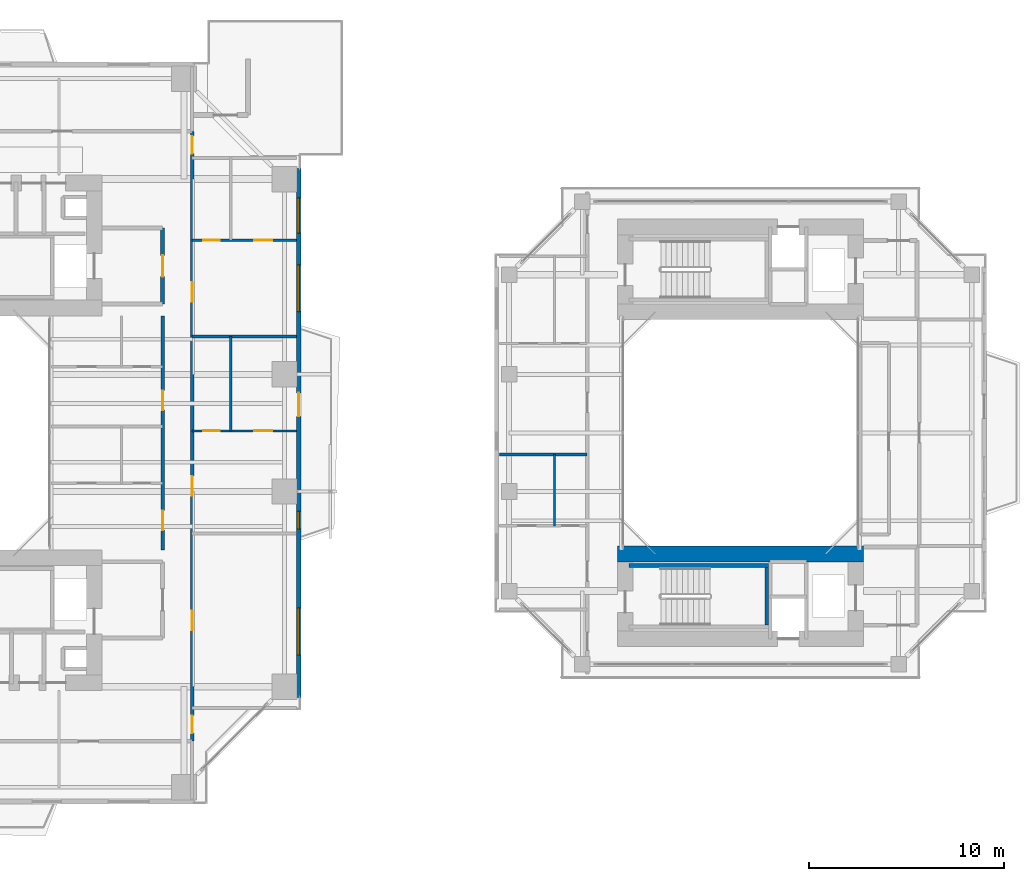
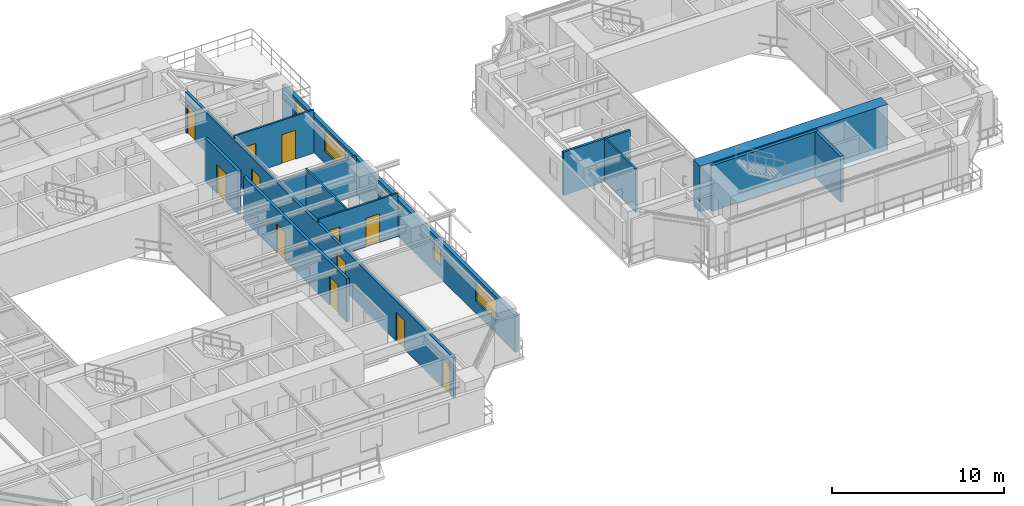
# One storey, part 15 of 23: 13 doors, 13 walls, 4 windows, 17 openings.
"""IFC4 building model written with IfcOpenShell, lengths in metres."""

from ifc_helpers import new_model, si_unit, direction, frame, frame_2d, origin, place, context, subcontext, project, spatial, rectangle, extrude, source, transform, mapped, material, layer, layer_set, type_object, element, fill, save


model = new_model("IFC4")

# Units and contexts
model_context = context("Model", 3, precision=1e-05, world=origin(), true_north=direction((0.0, 1.0)))
body_context = subcontext(model_context, "Body", "Model", "MODEL_VIEW")
ifc_project = project(units=[si_unit("LENGTHUNIT", "METRE"), si_unit("AREAUNIT", "SQUARE_METRE"), si_unit("VOLUMEUNIT", "CUBIC_METRE"), si_unit("PLANEANGLEUNIT", "RADIAN"), si_unit("MASSUNIT", "GRAM", prefix="KILO"), si_unit("THERMODYNAMICTEMPERATUREUNIT", "KELVIN"), si_unit("POWERUNIT", "WATT")], contexts=[model_context])

# Site, building, storey
site_placement = place(None, origin())
site = spatial("IfcSite", under=ifc_project, at=site_placement, CompositionType="ELEMENT")
building_placement = place(site_placement, origin())
building = spatial("IfcBuilding", under=site, at=building_placement, Name="Qiaomeng Ring Towers", CompositionType="ELEMENT")
storey_placement = place(building_placement, frame((0.0, 0.0, 82.75)))
storey = spatial("IfcBuildingStorey", under=building, at=storey_placement, Name="L23", CompositionType="ELEMENT", Elevation=82.75)

# Wall, openings, windows, door
ifc_material_1 = material(Name="Precast concrete C40", Category="concrete")
ifc_layer_1 = layer(ifc_material_1, 0.25, Name="Precast concrete C40")
ifc_layer_set_1 = layer_set([ifc_layer_1], Name="Precast concrete C40")
wall_type_1 = type_object("IfcWallType", Name="ARC-WL-EW1", PredefinedType="STANDARD", material=ifc_layer_set_1)
wall_1_placement = place(storey_placement, frame((37.875, 9.449951171875, 0.0), z_axis=(0.0, 0.0, 1.0), x_axis=(0.0, 1.0, 0.0)))
wall_1 = element("IfcWall", 1, at=wall_1_placement, inside=storey, type_object=wall_type_1, Name="L23 Tower 1 E Exterior Wall", PredefinedType="STANDARD", context=body_context, shape_type="SweptSolid", body=[
    extrude(rectangle(XDim=27.10009765625, YDim=0.25, at=frame_2d((13.550048828125, 0.0))), origin(), (0.0, 0.0, 1.0), 2.610107421875),
])
opening_1_placement = place(wall_1_placement, frame((14.39990234375, 0.0, 0.0)))
opening_1 = element("IfcOpeningElement", 2, at=opening_1_placement, cuts=wall_1, Name="Opening BD1", PredefinedType="OPENING", context=body_context, shape_type="SweptSolid", body=[
    extrude(rectangle(XDim=1.199951171875, YDim=2.10009765625, at=frame_2d((0.60009765625, 1.050048828125))), frame((0.0, 0.135009765625, 0.0), z_axis=(0.0, -1.0, 0.0), x_axis=(1.0, 0.0, 0.0)), (0.0, 0.0, 1.0), 0.27001953125),
])
opening_2_placement = place(wall_1_placement, frame((2.18798828125, 0.0, 0.89990234375)))
opening_2 = element("IfcOpeningElement", 3, at=opening_2_placement, cuts=wall_1, Name="Opening WN6", PredefinedType="OPENING", context=body_context, shape_type="SweptSolid", body=[
    extrude(rectangle(XDim=2.39990234375, YDim=1.47998046875, at=frame_2d((1.199951171875, 0.739990234375))), frame((0.0, 0.135009765625, 0.0), z_axis=(0.0, -1.0, 0.0), x_axis=(1.0, 0.0, 0.0)), (0.0, 0.0, 1.0), 0.27001953125),
])
opening_3_placement = place(wall_1_placement, frame((23.78759765625, 0.0, 0.89990234375)))
opening_3 = element("IfcOpeningElement", 4, at=opening_3_placement, cuts=wall_1, Name="Opening WN1", PredefinedType="OPENING", context=body_context, shape_type="SweptSolid", body=[
    extrude(rectangle(XDim=1.800048828125, YDim=1.5, at=frame_2d((0.89990234375, 0.75))), frame((0.0, 0.135009765625, 0.0), z_axis=(0.0, -1.0, 0.0), x_axis=(1.0, 0.0, 0.0)), (0.0, 0.0, 1.0), 0.27001953125),
])
opening_4_placement = place(wall_1_placement, frame((19.757568359375, 0.0, 0.89990234375)))
opening_4 = element("IfcOpeningElement", 5, at=opening_4_placement, cuts=wall_1, Name="Opening WN6", PredefinedType="OPENING", context=body_context, shape_type="SweptSolid", body=[
    extrude(rectangle(XDim=2.39990234375, YDim=1.5, at=frame_2d((1.199951171875, 0.75))), frame((0.0, 0.135009765625, 0.0), z_axis=(0.0, -1.0, 0.0), x_axis=(1.0, 0.0, 0.0)), (0.0, 0.0, 1.0), 0.27001953125),
])
opening_5_placement = place(wall_1_placement, frame((8.635009765625, 0.0, 0.89990234375)))
opening_5 = element("IfcOpeningElement", 6, at=opening_5_placement, cuts=wall_1, Name="Opening WN5", PredefinedType="OPENING", context=body_context, shape_type="SweptSolid", body=[
    extrude(rectangle(XDim=0.89990234375, YDim=1.199951171875, at=frame_2d((0.449951171875, 0.60009765625))), frame((0.0, 0.135009765625, 0.0), z_axis=(0.0, -1.0, 0.0), x_axis=(1.0, 0.0, 0.0)), (0.0, 0.0, 1.0), 0.27001953125),
])
ifc_material_2 = material(Name="Low-E dark-grey laminated double glazing", Category="glass")
window_type_1 = type_object("IfcWindowType", Name="ARC-WN-6", PartitioningType="TRIPLE_PANEL_VERTICAL", PredefinedType="WINDOW", material=ifc_material_2)
shared_shape_1 = source(origin(), body_context, "Body", "SweptSolid", [
    extrude(rectangle(XDim=2.39990234375, YDim=1.47998046875, at=frame_2d((1.199951171875, 0.739990234375))), frame((0.0, 0.030029296875, 0.0), z_axis=(0.0, -1.0, 0.0), x_axis=(1.0, 0.0, 0.0)), (0.0, 0.0, 1.0), 0.06005859375),
])
window_1_placement = place(opening_2_placement, origin())
window_1 = element("IfcWindow", 7, at=window_1_placement, inside=storey, type_object=window_type_1, Name="L23 Exterior Window WN6", OverallHeight=1.47998046875, OverallWidth=2.39990234375, PartitioningType="TRIPLE_PANEL_VERTICAL", PredefinedType="WINDOW", context=body_context, shape_type="MappedRepresentation", body=[
    mapped(shared_shape_1, transform((0.0, 0.0, 0.0), x_axis=(1.0, 0.0, 0.0), y_axis=(0.0, 1.0, 0.0), z_axis=(0.0, 0.0, 1.0), scale=1.0)),
])
fill(opening_2, window_1)
door_type_1 = type_object("IfcDoorType", Name="ARC-DR-BD1", OperationType="NOTDEFINED", PredefinedType="DOOR", material=ifc_material_2)
shared_shape_2 = source(origin(), body_context, "Body", "SweptSolid", [
    extrude(rectangle(XDim=1.199951171875, YDim=2.10009765625, at=frame_2d((0.60009765625, 1.050048828125))), frame((0.0, 0.02490234375, 0.0), z_axis=(0.0, -1.0, 0.0), x_axis=(1.0, 0.0, 0.0)), (0.0, 0.0, 1.0), 0.050048828125),
])
door_1_placement = place(opening_1_placement, origin())
door_1 = element("IfcDoor", 8, at=door_1_placement, inside=storey, type_object=door_type_1, Name="L23 E Balcony Glazed Door", OperationType="SINGLE_SWING_LEFT", OverallHeight=2.10009765625, OverallWidth=1.199951171875, PredefinedType="DOOR", context=body_context, shape_type="MappedRepresentation", body=[
    mapped(shared_shape_2, transform((0.0, 0.0, 0.0), x_axis=(1.0, 0.0, 0.0), y_axis=(0.0, 1.0, 0.0), z_axis=(0.0, 0.0, 1.0), scale=1.0)),
])
fill(opening_1, door_1)
shared_shape_3 = source(origin(), body_context, "Body", "SweptSolid", [
    extrude(rectangle(XDim=2.39990234375, YDim=1.5, at=frame_2d((1.199951171875, 0.75))), frame((0.0, 0.030029296875, 0.0), z_axis=(0.0, -1.0, 0.0), x_axis=(1.0, 0.0, 0.0)), (0.0, 0.0, 1.0), 0.06005859375),
])
window_2_placement = place(opening_4_placement, origin())
window_2 = element("IfcWindow", 9, at=window_2_placement, inside=storey, type_object=window_type_1, Name="L23 Exterior Window WN6", OverallHeight=1.5, OverallWidth=2.39990234375, PartitioningType="TRIPLE_PANEL_VERTICAL", PredefinedType="WINDOW", context=body_context, shape_type="MappedRepresentation", body=[
    mapped(shared_shape_3, transform((0.0, 0.0, 0.0), x_axis=(1.0, 0.0, 0.0), y_axis=(0.0, 1.0, 0.0), z_axis=(0.0, 0.0, 1.0), scale=1.0)),
])
fill(opening_4, window_2)
window_type_2 = type_object("IfcWindowType", Name="ARC-WN-1", PartitioningType="DOUBLE_PANEL_VERTICAL", PredefinedType="WINDOW", material=ifc_material_2)
shared_shape_4 = source(origin(), body_context, "Body", "SweptSolid", [
    extrude(rectangle(XDim=1.800048828125, YDim=1.5, at=frame_2d((0.89990234375, 0.75))), frame((0.0, 0.030029296875, 0.0), z_axis=(0.0, -1.0, 0.0), x_axis=(1.0, 0.0, 0.0)), (0.0, 0.0, 1.0), 0.06005859375),
])
window_3_placement = place(opening_3_placement, origin())
window_3 = element("IfcWindow", 10, at=window_3_placement, inside=storey, type_object=window_type_2, Name="L23 Exterior Window WN4", OverallHeight=1.5, OverallWidth=1.800048828125, PartitioningType="TRIPLE_PANEL_VERTICAL", PredefinedType="WINDOW", context=body_context, shape_type="MappedRepresentation", body=[
    mapped(shared_shape_4, transform((0.0, 0.0, 0.0), x_axis=(1.0, 0.0, 0.0), y_axis=(0.0, 1.0, 0.0), z_axis=(0.0, 0.0, 1.0), scale=1.0)),
])
fill(opening_3, window_3)
window_type_3 = type_object("IfcWindowType", Name="ARC-WN-5", PartitioningType="SINGLE_PANEL", PredefinedType="WINDOW", material=ifc_material_2)
shared_shape_5 = source(origin(), body_context, "Body", "SweptSolid", [
    extrude(rectangle(XDim=0.89990234375, YDim=1.199951171875, at=frame_2d((0.449951171875, 0.60009765625))), frame((0.0, 0.030029296875, 0.0), z_axis=(0.0, -1.0, 0.0), x_axis=(1.0, 0.0, 0.0)), (0.0, 0.0, 1.0), 0.06005859375),
])
window_4_placement = place(opening_5_placement, origin())
window_4 = element("IfcWindow", 11, at=window_4_placement, inside=storey, type_object=window_type_3, Name="L23 Exterior Window WN5", OverallHeight=1.199951171875, OverallWidth=0.89990234375, PartitioningType="SINGLE_PANEL", PredefinedType="WINDOW", context=body_context, shape_type="MappedRepresentation", body=[
    mapped(shared_shape_5, transform((0.0, 0.0, 0.0), x_axis=(1.0, 0.0, 0.0), y_axis=(0.0, 1.0, 0.0), z_axis=(0.0, 0.0, 1.0), scale=1.0)),
])
fill(opening_5, window_4)

# Wall, opening, door
ifc_material_3 = material(Name="Autoclaved aerated concrete block", Category="concrete")
ifc_layer_2 = layer(ifc_material_3, 0.199951171875, Name="Autoclaved aerated concrete block")
ifc_layer_set_2 = layer_set([ifc_layer_2], Name="Autoclaved aerated concrete block")
wall_type_2 = type_object("IfcWallType", Name="ARC-WL-PW1", PredefinedType="PARTITIONING", material=ifc_layer_set_2)
wall_2_placement = place(storey_placement, frame((30.89990234375, 29.60009765625, 0.0), z_axis=(0.0, 0.0, 1.0), x_axis=(0.0, 1.0, 0.0)))
wall_2 = element("IfcWall", 12, at=wall_2_placement, inside=storey, type_object=wall_type_2, Name="L23 Interior Wall PW1", PredefinedType="PARTITIONING", context=body_context, shape_type="SweptSolid", body=[
    extrude(rectangle(XDim=3.89990234375, YDim=0.199951171875, at=frame_2d((1.949951171875, 0.0))), origin(), (0.0, 0.0, 1.0), 3.070068359375),
])
opening_6_placement = place(wall_2_placement, frame((1.39990234375, 0.0, 0.0)))
opening_6 = element("IfcOpeningElement", 13, at=opening_6_placement, cuts=wall_2, Name="Opening FD3", PredefinedType="OPENING", context=body_context, shape_type="SweptSolid", body=[
    extrude(rectangle(XDim=1.10009765625, YDim=2.050048828125, at=frame_2d((0.550048828125, 1.02490234375))), frame((0.0, 0.10986328125, 0.0), z_axis=(0.0, -1.0, 0.0), x_axis=(1.0, 0.0, 0.0)), (0.0, 0.0, 1.0), 0.219970703125),
])
ifc_material_4 = material(Name="Galvanised steel", Category="steel")
door_type_2 = type_object("IfcDoorType", Name="ARC-DR-FD3", OperationType="NOTDEFINED", PredefinedType="DOOR", material=ifc_material_4)
shared_shape_6 = source(origin(), body_context, "Body", "SweptSolid", [
    extrude(rectangle(XDim=1.10009765625, YDim=2.050048828125, at=frame_2d((0.550048828125, 1.02490234375))), frame((0.0, 0.02490234375, 0.0), z_axis=(0.0, -1.0, 0.0), x_axis=(1.0, 0.0, 0.0)), (0.0, 0.0, 1.0), 0.050048828125),
])
door_2_placement = place(opening_6_placement, origin())
door_2 = element("IfcDoor", 14, at=door_2_placement, inside=storey, type_object=door_type_2, Name="L23 North FF Lobby Door", OperationType="SINGLE_SWING_LEFT", OverallHeight=2.050048828125, OverallWidth=1.10009765625, PredefinedType="DOOR", context=body_context, shape_type="MappedRepresentation", body=[
    mapped(shared_shape_6, transform((0.0, 0.0, 0.0), x_axis=(1.0, 0.0, 0.0), y_axis=(0.0, 1.0, 0.0), z_axis=(0.0, 0.0, 1.0), scale=1.0)),
])
fill(opening_6, door_2)

# Wall, openings, doors
ifc_layer_3 = layer(ifc_material_3, 0.179931640625, Name="Autoclaved aerated concrete block")
ifc_layer_set_3 = layer_set([ifc_layer_3], Name="Autoclaved aerated concrete block")
wall_type_3 = type_object("IfcWallType", Name="ARC-WL-PW2", PredefinedType="PARTITIONING", material=ifc_layer_set_3)
wall_3_placement = place(storey_placement, frame((32.419921875, 7.2099609375, 0.0), z_axis=(0.0, 0.0, 1.0), x_axis=(0.0, 1.0, 0.0)))
wall_3 = element("IfcWall", 15, at=wall_3_placement, inside=storey, type_object=wall_type_3, Name="L23 Interior Wall PW2", PredefinedType="PARTITIONING", context=body_context, shape_type="SweptSolid", body=[
    extrude(rectangle(XDim=31.22998046875, YDim=0.179931640625, at=frame_2d((15.614990234375, 0.0))), origin(), (0.0, 0.0, 1.0), 2.864990234375),
])
opening_7_placement = place(wall_3_placement, frame((30.090087890625, 0.0, 0.0)))
opening_7 = element("IfcOpeningElement", 16, at=opening_7_placement, cuts=wall_3, Name="Opening ID1", PredefinedType="OPENING", context=body_context, shape_type="SweptSolid", body=[
    extrude(rectangle(XDim=0.89990234375, YDim=2.050048828125, at=frame_2d((0.449951171875, 1.02490234375))), frame((0.0, 0.099853515625, 0.0), z_axis=(0.0, -1.0, 0.0), x_axis=(1.0, 0.0, 0.0)), (0.0, 0.0, 1.0), 0.199951171875),
])
opening_8_placement = place(wall_3_placement, frame((0.4150390625, 0.0, 0.0)))
opening_8 = element("IfcOpeningElement", 17, at=opening_8_placement, cuts=wall_3, Name="Opening ID1", PredefinedType="OPENING", context=body_context, shape_type="SweptSolid", body=[
    extrude(rectangle(XDim=0.89990234375, YDim=2.050048828125, at=frame_2d((0.449951171875, 1.02490234375))), frame((0.0, 0.099853515625, 0.0), z_axis=(0.0, -1.0, 0.0), x_axis=(1.0, 0.0, 0.0)), (0.0, 0.0, 1.0), 0.199951171875),
])
opening_9_placement = place(wall_3_placement, frame((5.675048828125, 0.0, 0.0)))
opening_9 = element("IfcOpeningElement", 18, at=opening_9_placement, cuts=wall_3, Name="Opening FD4", PredefinedType="OPENING", context=body_context, shape_type="SweptSolid", body=[
    extrude(rectangle(XDim=1.0, YDim=2.050048828125, at=frame_2d((0.5, 1.02490234375))), frame((0.0, 0.099853515625, 0.0), z_axis=(0.0, -1.0, 0.0), x_axis=(1.0, 0.0, 0.0)), (0.0, 0.0, 1.0), 0.199951171875),
])
opening_10_placement = place(wall_3_placement, frame((12.574951171875, 0.0, 0.0)))
opening_10 = element("IfcOpeningElement", 19, at=opening_10_placement, cuts=wall_3, Name="Opening FD4", PredefinedType="OPENING", context=body_context, shape_type="SweptSolid", body=[
    extrude(rectangle(XDim=1.0, YDim=2.050048828125, at=frame_2d((0.5, 1.02490234375))), frame((0.0, 0.099853515625, 0.0), z_axis=(0.0, -1.0, 0.0), x_axis=(1.0, 0.0, 0.0)), (0.0, 0.0, 1.0), 0.199951171875),
])
opening_11_placement = place(wall_3_placement, frame((22.5, 0.0, 0.0)))
opening_11 = element("IfcOpeningElement", 20, at=opening_11_placement, cuts=wall_3, Name="Opening FD4", PredefinedType="OPENING", context=body_context, shape_type="SweptSolid", body=[
    extrude(rectangle(XDim=1.0, YDim=2.050048828125, at=frame_2d((0.5, 1.02490234375))), frame((0.0, 0.099853515625, 0.0), z_axis=(0.0, -1.0, 0.0), x_axis=(1.0, 0.0, 0.0)), (0.0, 0.0, 1.0), 0.199951171875),
])
ifc_material_5 = material(Name="Engineered fire-rated oak timber", Category="wood")
door_type_3 = type_object("IfcDoorType", Name="ARC-DR-FD4", OperationType="NOTDEFINED", PredefinedType="DOOR", material=ifc_material_5)
shared_shape_7 = source(origin(), body_context, "Body", "SweptSolid", [
    extrude(rectangle(XDim=1.0, YDim=2.050048828125, at=frame_2d((0.5, 1.02490234375))), frame((0.0, 0.02490234375, 0.0), z_axis=(0.0, -1.0, 0.0), x_axis=(1.0, 0.0, 0.0)), (0.0, 0.0, 1.0), 0.050048828125),
])
door_3_placement = place(opening_9_placement, origin())
door_3 = element("IfcDoor", 21, at=door_3_placement, inside=storey, type_object=door_type_3, Name="L23 Door FD4", OperationType="SINGLE_SWING_RIGHT", OverallHeight=2.050048828125, OverallWidth=1.0, PredefinedType="DOOR", context=body_context, shape_type="MappedRepresentation", body=[
    mapped(shared_shape_7, transform((0.0, 0.0, 0.0), x_axis=(1.0, 0.0, 0.0), y_axis=(0.0, 1.0, 0.0), z_axis=(0.0, 0.0, 1.0), scale=1.0)),
])
fill(opening_9, door_3)
door_4_placement = place(opening_10_placement, origin())
door_4 = element("IfcDoor", 22, at=door_4_placement, inside=storey, type_object=door_type_3, Name="L23 Door FD4", OperationType="SINGLE_SWING_LEFT", OverallHeight=2.050048828125, OverallWidth=1.0, PredefinedType="DOOR", context=body_context, shape_type="MappedRepresentation", body=[
    mapped(shared_shape_7, transform((0.0, 0.0, 0.0), x_axis=(1.0, 0.0, 0.0), y_axis=(0.0, 1.0, 0.0), z_axis=(0.0, 0.0, 1.0), scale=1.0)),
])
fill(opening_10, door_4)
door_5_placement = place(opening_11_placement, origin())
door_5 = element("IfcDoor", 23, at=door_5_placement, inside=storey, type_object=door_type_3, Name="L23 Door FD4", OperationType="SINGLE_SWING_RIGHT", OverallHeight=2.050048828125, OverallWidth=1.0, PredefinedType="DOOR", context=body_context, shape_type="MappedRepresentation", body=[
    mapped(shared_shape_7, transform((0.0, 0.0, 0.0), x_axis=(1.0, 0.0, 0.0), y_axis=(0.0, 1.0, 0.0), z_axis=(0.0, 0.0, 1.0), scale=1.0)),
])
fill(opening_11, door_5)
ifc_material_6 = material(Name="Engineered oak timber", Category="wood")
door_type_4 = type_object("IfcDoorType", Name="ARC-DR-ID1", OperationType="NOTDEFINED", PredefinedType="DOOR", material=ifc_material_6)
shared_shape_8 = source(origin(), body_context, "Body", "SweptSolid", [
    extrude(rectangle(XDim=0.89990234375, YDim=2.050048828125, at=frame_2d((0.449951171875, 1.02490234375))), frame((0.0, 0.02490234375, 0.0), z_axis=(0.0, -1.0, 0.0), x_axis=(1.0, 0.0, 0.0)), (0.0, 0.0, 1.0), 0.050048828125),
])
door_6_placement = place(opening_7_placement, origin())
door_6 = element("IfcDoor", 24, at=door_6_placement, inside=storey, type_object=door_type_4, Name="L23 Door ID1", OperationType="SINGLE_SWING_RIGHT", OverallHeight=2.050048828125, OverallWidth=0.89990234375, PredefinedType="DOOR", context=body_context, shape_type="MappedRepresentation", body=[
    mapped(shared_shape_8, transform((0.0, 0.0, 0.0), x_axis=(1.0, 0.0, 0.0), y_axis=(0.0, 1.0, 0.0), z_axis=(0.0, 0.0, 1.0), scale=1.0)),
])
fill(opening_7, door_6)
door_7_placement = place(opening_8_placement, origin())
door_7 = element("IfcDoor", 25, at=door_7_placement, inside=storey, type_object=door_type_4, Name="L23 Door ID1", OperationType="SINGLE_SWING_LEFT", OverallHeight=2.050048828125, OverallWidth=0.89990234375, PredefinedType="DOOR", context=body_context, shape_type="MappedRepresentation", body=[
    mapped(shared_shape_8, transform((0.0, 0.0, 0.0), x_axis=(1.0, 0.0, 0.0), y_axis=(0.0, 1.0, 0.0), z_axis=(0.0, 0.0, 1.0), scale=1.0)),
])
fill(opening_8, door_7)

wall_4_placement = place(storey_placement, frame((30.89990234375, 17.0, 0.0), z_axis=(0.0, 0.0, 1.0), x_axis=(0.0, 1.0, 0.0)))
wall_4 = element("IfcWall", 26, at=wall_4_placement, inside=storey, type_object=wall_type_3, Name="L23 Interior Wall PW2", PredefinedType="PARTITIONING", context=body_context, shape_type="SweptSolid", body=[
    extrude(rectangle(XDim=12.0, YDim=0.179931640625, at=frame_2d((6.0, 0.0))), origin(), (0.0, 0.0, 1.0), 3.070068359375),
])
opening_12_placement = place(wall_4_placement, frame((1.02001953125, 0.0, 0.0)))
opening_12 = element("IfcOpeningElement", 27, at=opening_12_placement, cuts=wall_4, Name="Opening FD4", PredefinedType="OPENING", context=body_context, shape_type="SweptSolid", body=[
    extrude(rectangle(XDim=1.0, YDim=2.050048828125, at=frame_2d((0.5, 1.02490234375))), frame((0.0, 0.099853515625, 0.0), z_axis=(0.0, -1.0, 0.0), x_axis=(1.0, 0.0, 0.0)), (0.0, 0.0, 1.0), 0.199951171875),
])
opening_13_placement = place(wall_4_placement, frame((7.169921875, 0.0, 0.0)))
opening_13 = element("IfcOpeningElement", 28, at=opening_13_placement, cuts=wall_4, Name="Opening FD4", PredefinedType="OPENING", context=body_context, shape_type="SweptSolid", body=[
    extrude(rectangle(XDim=1.0, YDim=2.050048828125, at=frame_2d((0.5, 1.02490234375))), frame((0.0, 0.099853515625, 0.0), z_axis=(0.0, -1.0, 0.0), x_axis=(1.0, 0.0, 0.0)), (0.0, 0.0, 1.0), 0.199951171875),
])
door_8_placement = place(opening_12_placement, origin())
door_8 = element("IfcDoor", 29, at=door_8_placement, inside=storey, type_object=door_type_3, Name="L23 Door FD4", OperationType="SINGLE_SWING_LEFT", OverallHeight=2.050048828125, OverallWidth=1.0, PredefinedType="DOOR", context=body_context, shape_type="MappedRepresentation", body=[
    mapped(shared_shape_7, transform((0.0, 0.0, 0.0), x_axis=(1.0, 0.0, 0.0), y_axis=(0.0, 1.0, 0.0), z_axis=(0.0, 0.0, 1.0), scale=1.0)),
])
fill(opening_12, door_8)
door_9_placement = place(opening_13_placement, origin())
door_9 = element("IfcDoor", 30, at=door_9_placement, inside=storey, type_object=door_type_3, Name="L23 Door FD4", OperationType="SINGLE_SWING_RIGHT", OverallHeight=2.050048828125, OverallWidth=1.0, PredefinedType="DOOR", context=body_context, shape_type="MappedRepresentation", body=[
    mapped(shared_shape_7, transform((0.0, 0.0, 0.0), x_axis=(1.0, 0.0, 0.0), y_axis=(0.0, 1.0, 0.0), z_axis=(0.0, 0.0, 1.0), scale=1.0)),
])
fill(opening_13, door_9)

# Walls
ifc_material_7 = material(Name="Gypsum fireboard steel-stud partition", Category="steel")
ifc_layer_4 = layer(ifc_material_7, 0.14990234375, Name="Gypsum fireboard steel-stud partition")
ifc_layer_set_4 = layer_set([ifc_layer_4], Name="Gypsum fireboard steel-stud partition")
wall_type_4 = type_object("IfcWallType", Name="ARC-WL-PW3", PredefinedType="PARTITIONING", material=ifc_layer_set_4)
wall_5_placement = place(storey_placement, frame((32.419921875, 27.929931640625, 0.0), z_axis=(0.0, 0.0, 1.0), x_axis=(1.0, 0.0, 0.0)))
element("IfcWall", 31, at=wall_5_placement, inside=storey, type_object=wall_type_4, Name="L23 Interior Wall PW3", PredefinedType="PARTITIONING", context=body_context, shape_type="SweptSolid", body=[
    extrude(rectangle(XDim=5.330078125, YDim=0.14990234375, at=frame_2d((2.6650390625, 0.0))), origin(), (0.0, 0.0, 1.0), 2.77099609375),
])
wall_6_placement = place(storey_placement, frame((48.14990234375, 21.89990234375, 0.0), z_axis=(0.0, 0.0, 1.0), x_axis=(1.0, 0.0, 0.0)))
element("IfcWall", 32, at=wall_6_placement, inside=storey, type_object=wall_type_4, Name="L23 Interior Wall PW3", PredefinedType="PARTITIONING", context=body_context, shape_type="SweptSolid", body=[
    extrude(rectangle(XDim=4.5, YDim=0.14990234375, at=frame_2d((2.25, 0.0))), origin(), (0.0, 0.0, 1.0), 3.070068359375),
])

# Wall, openings, doors
ifc_material_8 = material(Name="Moisture-resistant gypsum steel-stud partition", Category="steel")
ifc_layer_5 = layer(ifc_material_8, 0.1201171875, Name="Moisture-resistant gypsum steel-stud partition")
ifc_layer_set_5 = layer_set([ifc_layer_5], Name="Moisture-resistant gypsum steel-stud partition")
wall_type_5 = type_object("IfcWallType", Name="ARC-WL-PW4", PredefinedType="PLUMBINGWALL", material=ifc_layer_set_5)
wall_7_placement = place(storey_placement, frame((32.419921875, 23.10009765625, 0.0), z_axis=(0.0, 0.0, 1.0), x_axis=(1.0, 0.0, 0.0)))
wall_7 = element("IfcWall", 33, at=wall_7_placement, inside=storey, type_object=wall_type_5, Name="L23 Interior Wall PW4", PredefinedType="PLUMBINGWALL", context=body_context, shape_type="SweptSolid", body=[
    extrude(rectangle(XDim=5.330078125, YDim=0.1201171875, at=frame_2d((2.6650390625, 0.0))), origin(), (0.0, 0.0, 1.0), 3.070068359375),
])
opening_14_placement = place(wall_7_placement, frame((0.570068359375, 0.0, 0.0)))
opening_14 = element("IfcOpeningElement", 34, at=opening_14_placement, cuts=wall_7, Name="Opening ID2", PredefinedType="OPENING", context=body_context, shape_type="SweptSolid", body=[
    extrude(rectangle(XDim=0.85009765625, YDim=2.050048828125, at=frame_2d((0.425048828125, 1.02490234375))), frame((0.0, 0.070068359375, 0.0), z_axis=(0.0, -1.0, 0.0), x_axis=(1.0, 0.0, 0.0)), (0.0, 0.0, 1.0), 0.14013671875),
])
opening_15_placement = place(wall_7_placement, frame((3.18994140625, 0.0, 0.0)))
opening_15 = element("IfcOpeningElement", 35, at=opening_15_placement, cuts=wall_7, Name="Opening ID1", PredefinedType="OPENING", context=body_context, shape_type="SweptSolid", body=[
    extrude(rectangle(XDim=0.89990234375, YDim=2.050048828125, at=frame_2d((0.449951171875, 1.02490234375))), frame((0.0, 0.070068359375, 0.0), z_axis=(0.0, -1.0, 0.0), x_axis=(1.0, 0.0, 0.0)), (0.0, 0.0, 1.0), 0.14013671875),
])
ifc_material_9 = material(Name="Moisture-resistant engineered timber", Category="wood")
door_type_5 = type_object("IfcDoorType", Name="ARC-DR-ID2", OperationType="NOTDEFINED", PredefinedType="DOOR", material=ifc_material_9)
shared_shape_9 = source(origin(), body_context, "Body", "SweptSolid", [
    extrude(rectangle(XDim=0.85009765625, YDim=2.050048828125, at=frame_2d((0.425048828125, 1.02490234375))), frame((0.0, 0.02490234375, 0.0), z_axis=(0.0, -1.0, 0.0), x_axis=(1.0, 0.0, 0.0)), (0.0, 0.0, 1.0), 0.050048828125),
])
door_10_placement = place(opening_14_placement, origin())
door_10 = element("IfcDoor", 36, at=door_10_placement, inside=storey, type_object=door_type_5, Name="L23 Door ID2", OperationType="SINGLE_SWING_LEFT", OverallHeight=2.050048828125, OverallWidth=0.85009765625, PredefinedType="DOOR", context=body_context, shape_type="MappedRepresentation", body=[
    mapped(shared_shape_9, transform((0.0, 0.0, 0.0), x_axis=(1.0, 0.0, 0.0), y_axis=(0.0, 1.0, 0.0), z_axis=(0.0, 0.0, 1.0), scale=1.0)),
])
fill(opening_14, door_10)
door_11_placement = place(opening_15_placement, origin())
door_11 = element("IfcDoor", 37, at=door_11_placement, inside=storey, type_object=door_type_4, Name="L23 Door ID1", OperationType="SINGLE_SWING_RIGHT", OverallHeight=2.050048828125, OverallWidth=0.89990234375, PredefinedType="DOOR", context=body_context, shape_type="MappedRepresentation", body=[
    mapped(shared_shape_8, transform((0.0, 0.0, 0.0), x_axis=(1.0, 0.0, 0.0), y_axis=(0.0, 1.0, 0.0), z_axis=(0.0, 0.0, 1.0), scale=1.0)),
])
fill(opening_15, door_11)

# Wall
wall_8_placement = place(storey_placement, frame((34.389892578125, 23.10009765625, 0.0), z_axis=(0.0, 0.0, 1.0), x_axis=(0.0, 1.0, 0.0)))
element("IfcWall", 38, at=wall_8_placement, inside=storey, type_object=wall_type_5, Name="L23 Interior Wall PW4", PredefinedType="PLUMBINGWALL", context=body_context, shape_type="SweptSolid", body=[
    extrude(rectangle(XDim=4.829833984375, YDim=0.1201171875, at=frame_2d((2.4150390625, 0.0))), origin(), (0.0, 0.0, 1.0), 3.070068359375),
])

# Wall, openings, doors
wall_9_placement = place(storey_placement, frame((32.419921875, 32.8701171875, 0.0), z_axis=(0.0, 0.0, 1.0), x_axis=(1.0, 0.0, 0.0)))
wall_9 = element("IfcWall", 39, at=wall_9_placement, inside=storey, type_object=wall_type_5, Name="L23 Interior Wall PW4", PredefinedType="PLUMBINGWALL", context=body_context, shape_type="SweptSolid", body=[
    extrude(rectangle(XDim=5.330078125, YDim=0.1201171875, at=frame_2d((2.6650390625, 0.0))), origin(), (0.0, 0.0, 1.0), 3.070068359375),
])
opening_16_placement = place(wall_9_placement, frame((0.570068359375, 0.0, 0.0)))
opening_16 = element("IfcOpeningElement", 40, at=opening_16_placement, cuts=wall_9, Name="Opening ID2", PredefinedType="OPENING", context=body_context, shape_type="SweptSolid", body=[
    extrude(rectangle(XDim=0.85009765625, YDim=2.050048828125, at=frame_2d((0.425048828125, 1.02490234375))), frame((0.0, 0.070068359375, 0.0), z_axis=(0.0, -1.0, 0.0), x_axis=(1.0, 0.0, 0.0)), (0.0, 0.0, 1.0), 0.14013671875),
])
opening_17_placement = place(wall_9_placement, frame((3.18994140625, 0.0, 0.0)))
opening_17 = element("IfcOpeningElement", 41, at=opening_17_placement, cuts=wall_9, Name="Opening ID1", PredefinedType="OPENING", context=body_context, shape_type="SweptSolid", body=[
    extrude(rectangle(XDim=0.89990234375, YDim=2.050048828125, at=frame_2d((0.449951171875, 1.02490234375))), frame((0.0, 0.070068359375, 0.0), z_axis=(0.0, -1.0, 0.0), x_axis=(1.0, 0.0, 0.0)), (0.0, 0.0, 1.0), 0.14013671875),
])
door_12_placement = place(opening_16_placement, origin())
door_12 = element("IfcDoor", 42, at=door_12_placement, inside=storey, type_object=door_type_5, Name="L23 Door ID2", OperationType="SINGLE_SWING_RIGHT", OverallHeight=2.050048828125, OverallWidth=0.85009765625, PredefinedType="DOOR", context=body_context, shape_type="MappedRepresentation", body=[
    mapped(shared_shape_9, transform((0.0, 0.0, 0.0), x_axis=(1.0, 0.0, 0.0), y_axis=(0.0, 1.0, 0.0), z_axis=(0.0, 0.0, 1.0), scale=1.0)),
])
fill(opening_16, door_12)
door_13_placement = place(opening_17_placement, origin())
door_13 = element("IfcDoor", 43, at=door_13_placement, inside=storey, type_object=door_type_4, Name="L23 Door ID1", OperationType="SINGLE_SWING_LEFT", OverallHeight=2.050048828125, OverallWidth=0.89990234375, PredefinedType="DOOR", context=body_context, shape_type="MappedRepresentation", body=[
    mapped(shared_shape_8, transform((0.0, 0.0, 0.0), x_axis=(1.0, 0.0, 0.0), y_axis=(0.0, 1.0, 0.0), z_axis=(0.0, 0.0, 1.0), scale=1.0)),
])
fill(opening_17, door_13)

# Walls
wall_10_placement = place(storey_placement, frame((50.97998046875, 18.239990234375, 0.0), z_axis=(0.0, 0.0, 1.0), x_axis=(0.0, 1.0, 0.0)))
element("IfcWall", 44, at=wall_10_placement, inside=storey, type_object=wall_type_5, Name="L23 Interior Wall PW4", PredefinedType="PLUMBINGWALL", context=body_context, shape_type="SweptSolid", body=[
    extrude(rectangle(XDim=3.659912109375, YDim=0.1201171875, at=frame_2d((1.830078125, 0.0))), origin(), (0.0, 0.0, 1.0), 3.070068359375),
])
ifc_material_10 = material(Name="Concrete C40", Category="concrete")
ifc_layer_6 = layer(ifc_material_10, 0.199951171875, Name="Concrete C40")
ifc_layer_set_6 = layer_set([ifc_layer_6], Name="Concrete C40")
wall_type_6 = type_object("IfcWallType", Name="STR-WL-STSHAFT", PredefinedType="SHEAR", material=ifc_layer_set_6)
wall_11_placement = place(storey_placement, frame((54.800048828125, 16.199951171875, 0.0), z_axis=(0.0, 0.0, 1.0), x_axis=(1.0, 0.0, 0.0)))
element("IfcWall", 45, at=wall_11_placement, inside=storey, type_object=wall_type_6, Name="L23 Stair ST6 North Shaft Shear Wall", PredefinedType="SHEAR", context=body_context, shape_type="SweptSolid", body=[
    extrude(rectangle(XDim=7.14990234375, YDim=0.199951171875, at=frame_2d((3.574951171875, 0.0))), origin(), (0.0, 0.0, 1.0), 3.25),
])
wall_12_placement = place(storey_placement, frame((61.85009765625, 13.159912109375, 0.0), z_axis=(0.0, 0.0, 1.0), x_axis=(0.0, 1.0, 0.0)))
element("IfcWall", 46, at=wall_12_placement, inside=storey, type_object=wall_type_6, Name="L23 Stair ST6 East Shaft Shear Wall", PredefinedType="SHEAR", context=body_context, shape_type="SweptSolid", body=[
    extrude(rectangle(XDim=2.940185546875, YDim=0.199951171875, at=frame_2d((1.47021484375, 0.0))), origin(), (0.0, 0.0, 1.0), 3.25),
])
ifc_material_11 = material(Name="Concrete C60", Category="concrete")
ifc_layer_7 = layer(ifc_material_11, 0.800048828125, Name="Concrete C60")
ifc_layer_set_7 = layer_set([ifc_layer_7], Name="Concrete C60")
wall_type_7 = type_object("IfcWallType", Name="STR-WL-SW1", PredefinedType="SHEAR", material=ifc_layer_set_7)
wall_13_placement = place(storey_placement, frame((54.199951171875, 16.800048828125, 0.0), z_axis=(0.0, 0.0, 1.0), x_axis=(1.0, 0.0, 0.0)))
element("IfcWall", 47, at=wall_13_placement, inside=storey, type_object=wall_type_7, Name="L23 T2SC north core shear wall", PredefinedType="SHEAR", context=body_context, shape_type="SweptSolid", body=[
    extrude(rectangle(XDim=12.60009765625, YDim=0.800048828125, at=frame_2d((6.300048828125, 0.0))), origin(), (0.0, 0.0, 1.0), 3.25),
])

save(model, "model.ifc")
